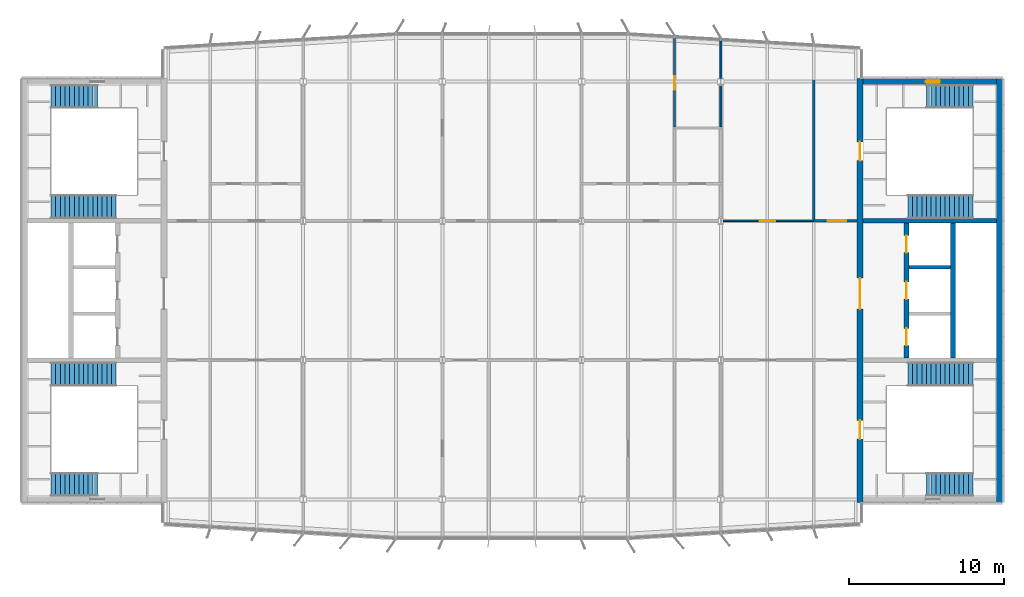
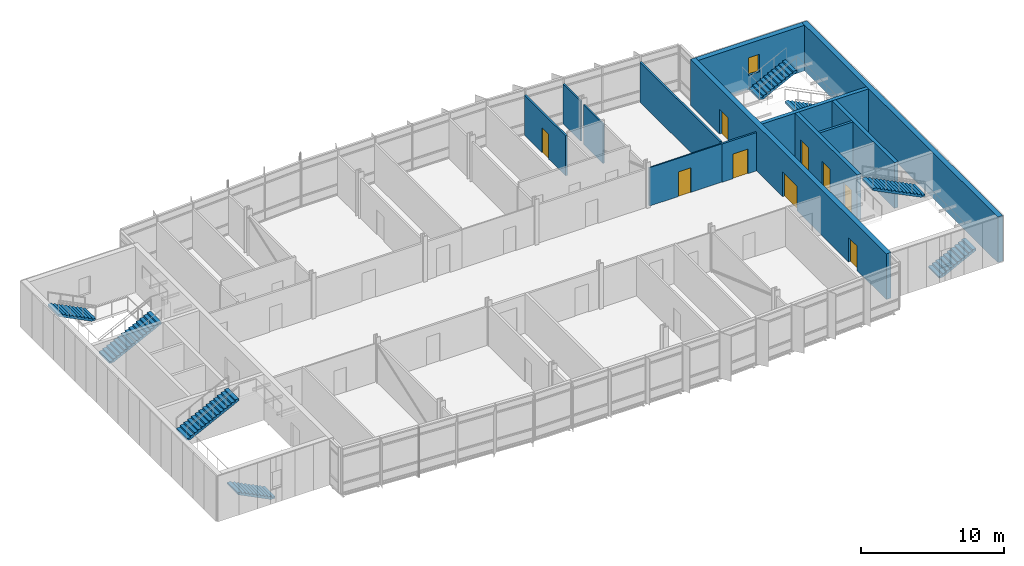
# One storey, part 14 of 18: 13 walls, 9 doors, 8 stair flights, 1 window, 10 openings, 4 elements without a shape of their own.
"""IFC4 building model written with IfcOpenShell, lengths in metres."""

from ifc_helpers import new_model, si_unit, direction, frame, frame_2d, origin, place, context, subcontext, project, spatial, polyline, rectangle, outline, extrude, material, layer, layer_set, type_object, element, fill, aggregate, save


model = new_model("IFC4")

# Units and contexts
model_context = context("Model", 3, precision=1e-05, world=origin(), true_north=direction((0.0, 1.0)))
body_context = subcontext(model_context, "Body", "Model", "MODEL_VIEW")
ifc_project = project(units=[si_unit("LENGTHUNIT", "METRE"), si_unit("AREAUNIT", "SQUARE_METRE"), si_unit("VOLUMEUNIT", "CUBIC_METRE"), si_unit("PLANEANGLEUNIT", "RADIAN"), si_unit("MASSUNIT", "GRAM", prefix="KILO")], contexts=[model_context])

# Site, building, storey
site_placement = place(None, origin())
site = spatial("IfcSite", under=ifc_project, at=site_placement, CompositionType="ELEMENT")
building_placement = place(site_placement, origin())
building = spatial("IfcBuilding", under=site, at=building_placement, Name="Azimuth Sports and Learning Centre", CompositionType="ELEMENT")
storey_placement = place(building_placement, frame((0.0, 0.0, 63.60009765625)))
storey = spatial("IfcBuildingStorey", under=building, at=storey_placement, Name="L14", CompositionType="ELEMENT", Elevation=63.60009765625)

# Wall
ifc_material_1 = material(Name="Dense masonry blockwork", Category="masonry")
ifc_layer_1 = layer(ifc_material_1, 0.199951171875)
ifc_layer_set_1 = layer_set([ifc_layer_1], Name="Dense masonry blockwork")
wall_type_1 = type_object("IfcWallType", Name="Blockwork wall 200 EI 120", PredefinedType="SOLIDWALL", material=ifc_layer_set_1)
wall_1_placement = place(storey_placement, frame((111.14990234375, 105.0, 0.0), z_axis=(0.0, 0.0, 1.0), x_axis=(1.0, 0.0, 0.0)))
element("IfcWall", 1, at=wall_1_placement, inside=storey, type_object=wall_type_1, Name="SD-E-2-L14", PredefinedType="SOLIDWALL", context=body_context, shape_type="SweptSolid", body=[
    extrude(rectangle(XDim=2.7001953125, YDim=0.199951171875, at=frame_2d((1.35009765625, 0.0))), origin(), (0.0, 0.0, 1.0), 3.89990234375),
])

# Wall, opening, door
ifc_material_2 = material(Name="Gypsum board on steel studs", Category="steel")
ifc_layer_2 = layer(ifc_material_2, 0.10009765625)
ifc_layer_set_2 = layer_set([ifc_layer_2], Name="Gypsum board on steel studs")
wall_type_2 = type_object("IfcWallType", Name="Partition 100 EI 30", PredefinedType="PARTITIONING", material=ifc_layer_set_2)
wall_2_placement = place(storey_placement, frame((99.153564453125, 108.0, 0.0), z_axis=(0.0, 0.0, 1.0), x_axis=(1.0, 0.0, 0.0)))
wall_2 = element("IfcWall", 2, at=wall_2_placement, inside=storey, type_object=wall_type_2, Name="Partition Classroom 14.25 / Learning Street", PredefinedType="PARTITIONING", context=body_context, shape_type="SweptSolid", body=[
    extrude(rectangle(XDim=5.846435546875, YDim=0.10009765625, at=frame_2d((2.92333984375, 0.0))), origin(), (0.0, 0.0, 1.0), 3.27001953125),
])
opening_1_placement = place(wall_2_placement, frame((2.346435546875, 0.0, 0.0)))
opening_1 = element("IfcOpeningElement", 3, at=opening_1_placement, cuts=wall_2, Name="Opening D14-027", PredefinedType="OPENING", context=body_context, shape_type="SweptSolid", body=[
    extrude(rectangle(XDim=1.0, YDim=2.10009765625, at=frame_2d((0.5, 1.050048828125))), frame((0.0, 0.06103515625, 0.0), z_axis=(0.0, -1.0, 0.0), x_axis=(1.0, 0.0, 0.0)), (0.0, 0.0, 1.0), 0.1220703125),
])
ifc_material_3 = material(Name="Painted steel door set", Category="steel")
door_type_1 = type_object("IfcDoorType", Name="Fire door FD30S 1000 x 2100", OperationType="NOTDEFINED", PredefinedType="DOOR", material=ifc_material_3)
door_1_placement = place(opening_1_placement, origin())
door_1 = element("IfcDoor", 4, at=door_1_placement, inside=storey, type_object=door_type_1, Name="Door Classroom 14.25 / Learning Street", OperationType="SINGLE_SWING_LEFT", OverallHeight=2.10009765625, OverallWidth=1.0, PredefinedType="DOOR", context=body_context, shape_type="SweptSolid", body=[
    extrude(rectangle(XDim=1.0, YDim=2.10009765625, at=frame_2d((0.5, 1.050048828125))), frame((0.0, 0.02490234375, 0.0), z_axis=(0.0, -1.0, 0.0), x_axis=(1.0, 0.0, 0.0)), (0.0, 0.0, 1.0), 0.050048828125),
])
fill(opening_1, door_1)

# Walls
ifc_material_4 = material(Name="Gypsum board on steel studs, acoustic", Category="steel")
ifc_layer_3 = layer(ifc_material_4, 0.125)
ifc_layer_set_3 = layer_set([ifc_layer_3], Name="Gypsum board on steel studs, acoustic")
wall_type_3 = type_object("IfcWallType", Name="Partition 125 EI 60", PredefinedType="PARTITIONING", material=ifc_layer_set_3)
wall_3_placement = place(storey_placement, frame((99.0, 114.074951171875, 0.0), z_axis=(0.0, 0.0, 1.0), x_axis=(0.0, 1.0, 0.0)))
element("IfcWall", 5, at=wall_3_placement, inside=storey, type_object=wall_type_3, Name="Partition Cleaner Store 14.24 / Classroom 14.25", PredefinedType="PARTITIONING", context=body_context, shape_type="SweptSolid", body=[
    extrude(rectangle(XDim=2.70751953125, YDim=0.125, at=frame_2d((1.353759765625, 0.0))), origin(), (0.0, 0.0, 1.0), 3.369873046875),
])
wall_4_placement = place(storey_placement, frame((99.0, 117.217529296875, 0.0), z_axis=(0.0, 0.0, 1.0), x_axis=(0.0, 1.0, 0.0)))
element("IfcWall", 6, at=wall_4_placement, inside=storey, type_object=wall_type_3, Name="Partition Cleaner Store 14.24 / Classroom 14.25", PredefinedType="PARTITIONING", context=body_context, shape_type="SweptSolid", body=[
    extrude(rectangle(XDim=2.42236328125, YDim=0.125, at=frame_2d((1.211181640625, 0.0))), origin(), (0.0, 0.0, 1.0), 3.409912109375),
])

# Wall, opening, door
ifc_material_5 = material(Name="Lightweight blockwork, rendered", Category="masonry")
ifc_layer_4 = layer(ifc_material_5, 0.14990234375)
ifc_layer_set_4 = layer_set([ifc_layer_4], Name="Lightweight blockwork, rendered")
wall_type_4 = type_object("IfcWallType", Name="Partition 150 EI 60", PredefinedType="PARTITIONING", material=ifc_layer_set_4)
wall_5_placement = place(storey_placement, frame((105.0, 108.0, 0.0), z_axis=(0.0, 0.0, 1.0), x_axis=(1.0, 0.0, 0.0)))
wall_5 = element("IfcWall", 7, at=wall_5_placement, inside=storey, type_object=wall_type_4, Name="Partition Stair Lobby E2 14.04 / Learning Street", PredefinedType="PARTITIONING", context=body_context, shape_type="SweptSolid", body=[
    extrude(rectangle(XDim=2.800048828125, YDim=0.14990234375, at=frame_2d((1.39990234375, 0.0))), origin(), (0.0, 0.0, 1.0), 3.27001953125),
])
opening_2_placement = place(wall_5_placement, frame((0.89990234375, 0.0, 0.0)))
opening_2 = element("IfcOpeningElement", 8, at=opening_2_placement, cuts=wall_5, Name="Opening D14-014", PredefinedType="OPENING", context=body_context, shape_type="SweptSolid", body=[
    extrude(rectangle(XDim=1.199951171875, YDim=2.10009765625, at=frame_2d((0.60009765625, 1.050048828125))), frame((0.0, 0.0859375, 0.0), z_axis=(0.0, -1.0, 0.0), x_axis=(1.0, 0.0, 0.0)), (0.0, 0.0, 1.0), 0.171875),
])
ifc_material_6 = material(Name="Painted steel door set", Category="steel")
door_type_2 = type_object("IfcDoorType", Name="Fire door FD60 1200 x 2100", OperationType="NOTDEFINED", PredefinedType="DOOR", material=ifc_material_6)
door_2_placement = place(opening_2_placement, origin())
door_2 = element("IfcDoor", 9, at=door_2_placement, inside=storey, type_object=door_type_2, Name="Door Stair Lobby E2 14.04 / Learning Street", OperationType="SINGLE_SWING_RIGHT", OverallHeight=2.10009765625, OverallWidth=1.199951171875, PredefinedType="DOOR", context=body_context, shape_type="SweptSolid", body=[
    extrude(rectangle(XDim=1.199951171875, YDim=2.10009765625, at=frame_2d((0.60009765625, 1.050048828125))), frame((0.0, 0.02490234375, 0.0), z_axis=(0.0, -1.0, 0.0), x_axis=(1.0, 0.0, 0.0)), (0.0, 0.0, 1.0), 0.050048828125),
])
fill(opening_2, door_2)

wall_6_placement = place(storey_placement, frame((96.0, 114.074951171875, 0.0), z_axis=(0.0, 0.0, 1.0), x_axis=(0.0, 1.0, 0.0)))
wall_6 = element("IfcWall", 10, at=wall_6_placement, inside=storey, type_object=wall_type_4, Name="Partition Women WC 14.22 / Accessible WC 14.23", PredefinedType="PARTITIONING", context=body_context, shape_type="SweptSolid", body=[
    extrude(rectangle(XDim=5.7451171875, YDim=0.14990234375, at=frame_2d((2.87255859375, 0.0))), origin(), (0.0, 0.0, 1.0), 3.409912109375),
])
opening_3_placement = place(wall_6_placement, frame((2.385009765625, 0.0, 0.0)))
opening_3 = element("IfcOpeningElement", 11, at=opening_3_placement, cuts=wall_6, Name="Opening D14-036", PredefinedType="OPENING", context=body_context, shape_type="SweptSolid", body=[
    extrude(rectangle(XDim=0.89990234375, YDim=2.10009765625, at=frame_2d((0.449951171875, 1.050048828125))), frame((0.0, 0.0859375, 0.0), z_axis=(0.0, -1.0, 0.0), x_axis=(1.0, 0.0, 0.0)), (0.0, 0.0, 1.0), 0.171875),
])
ifc_material_7 = material(Name="Painted steel door set", Category="steel")
door_type_3 = type_object("IfcDoorType", Name="Fire door FD60 900 x 2100", OperationType="NOTDEFINED", PredefinedType="DOOR", material=ifc_material_7)
door_3_placement = place(opening_3_placement, frame((0.89990234375, 0.0, 0.0), z_axis=(0.0, 0.0, 1.0), x_axis=(-1.0, 0.0, 0.0)))
door_3 = element("IfcDoor", 12, at=door_3_placement, inside=storey, type_object=door_type_3, Name="Door Women WC 14.22 / Cleaner Store 14.24", OperationType="SINGLE_SWING_RIGHT", OverallHeight=2.10009765625, OverallWidth=0.89990234375, PredefinedType="DOOR", context=body_context, shape_type="SweptSolid", body=[
    extrude(rectangle(XDim=0.89990234375, YDim=2.10009765625, at=frame_2d((0.449951171875, 1.050048828125))), frame((0.0, 0.02490234375, 0.0), z_axis=(0.0, -1.0, 0.0), x_axis=(1.0, 0.0, 0.0)), (0.0, 0.0, 1.0), 0.050048828125),
])
fill(opening_3, door_3)

# Walls
wall_7_placement = place(storey_placement, frame((105.0, 108.074951171875, 0.0), z_axis=(0.0, 0.0, 1.0), x_axis=(0.0, 1.0, 0.0)))
element("IfcWall", 13, at=wall_7_placement, inside=storey, type_object=wall_type_4, Name="Partition Stair Lobby E2 14.04 / Classroom 14.25", PredefinedType="PARTITIONING", context=body_context, shape_type="SweptSolid", body=[
    extrude(rectangle(XDim=11.205078125, YDim=0.14990234375, at=frame_2d((5.6025390625, 0.0))), origin(), (0.0, 0.0, 1.0), 3.409912109375),
])
ifc_material_8 = material(Name="Concrete C40/50", Category="concrete")
ifc_layer_5 = layer(ifc_material_8, 0.300048828125)
ifc_layer_set_5 = layer_set([ifc_layer_5], Name="Concrete C40/50")
wall_type_5 = type_object("IfcWallType", Name="RC core wall 300", PredefinedType="SHEAR", material=ifc_layer_set_5)
wall_8_placement = place(storey_placement, frame((108.199951171875, 108.0, 0.0), z_axis=(0.0, 0.0, 1.0), x_axis=(1.0, 0.0, 0.0)))
element("IfcWall", 14, at=wall_8_placement, inside=storey, type_object=wall_type_5, Name="Core wall E D2 L14", PredefinedType="SHEAR", context=body_context, shape_type="SweptSolid", body=[
    extrude(rectangle(XDim=8.60009765625, YDim=0.300048828125, at=frame_2d((4.300048828125, 0.0))), origin(), (0.0, 0.0, 1.0), 3.89990234375),
])

# Wall, openings, doors
wall_9_placement = place(storey_placement, frame((111.0, 99.14990234375, 0.0), z_axis=(0.0, 0.0, 1.0), x_axis=(0.0, 1.0, 0.0)))
wall_9 = element("IfcWall", 15, at=wall_9_placement, inside=storey, type_object=wall_type_5, Name="Core wall E LB1 L14", PredefinedType="SHEAR", context=body_context, shape_type="SweptSolid", body=[
    extrude(rectangle(XDim=8.7001953125, YDim=0.300048828125, at=frame_2d((4.35009765625, 0.0))), origin(), (0.0, 0.0, 1.0), 3.89990234375),
])
opening_4_placement = place(wall_9_placement, frame((0.800048828125, 0.0, 0.0)))
opening_4 = element("IfcOpeningElement", 16, at=opening_4_placement, cuts=wall_9, Name="Opening D14-008", PredefinedType="OPENING", context=body_context, shape_type="SweptSolid", body=[
    extrude(rectangle(XDim=1.10009765625, YDim=2.10009765625, at=frame_2d((0.550048828125, 1.050048828125))), frame((0.0, 0.1611328125, 0.0), z_axis=(0.0, -1.0, 0.0), x_axis=(1.0, 0.0, 0.0)), (0.0, 0.0, 1.0), 0.322021484375),
])
opening_5_placement = place(wall_9_placement, frame((3.800048828125, 0.0, 0.0)))
opening_5 = element("IfcOpeningElement", 17, at=opening_5_placement, cuts=wall_9, Name="Opening D14-009", PredefinedType="OPENING", context=body_context, shape_type="SweptSolid", body=[
    extrude(rectangle(XDim=1.10009765625, YDim=2.10009765625, at=frame_2d((0.550048828125, 1.050048828125))), frame((0.0, 0.1611328125, 0.0), z_axis=(0.0, -1.0, 0.0), x_axis=(1.0, 0.0, 0.0)), (0.0, 0.0, 1.0), 0.322021484375),
])
opening_6_placement = place(wall_9_placement, frame((6.800048828125, 0.0, 0.0)))
opening_6 = element("IfcOpeningElement", 18, at=opening_6_placement, cuts=wall_9, Name="Opening D14-010", PredefinedType="OPENING", context=body_context, shape_type="SweptSolid", body=[
    extrude(rectangle(XDim=1.10009765625, YDim=2.10009765625, at=frame_2d((0.550048828125, 1.050048828125))), frame((0.0, 0.1611328125, 0.0), z_axis=(0.0, -1.0, 0.0), x_axis=(1.0, 0.0, 0.0)), (0.0, 0.0, 1.0), 0.322021484375),
])
ifc_material_9 = material(Name="Stainless steel", Category="steel")
door_type_4 = type_object("IfcDoorType", Name="Lift landing door 1100 x 2100", OperationType="DOUBLE_DOOR_SLIDING", PredefinedType="DOOR", material=ifc_material_9)
door_4_placement = place(opening_4_placement, origin())
door_4 = element("IfcDoor", 19, at=door_4_placement, inside=storey, type_object=door_type_4, Name="Landing door LE1 L14", OperationType="DOUBLE_DOOR_SLIDING", OverallHeight=2.10009765625, OverallWidth=1.10009765625, PredefinedType="DOOR", context=body_context, shape_type="SweptSolid", body=[
    extrude(rectangle(XDim=1.10009765625, YDim=2.10009765625, at=frame_2d((0.550048828125, 1.050048828125))), frame((0.0, 0.02490234375, 0.0), z_axis=(0.0, -1.0, 0.0), x_axis=(1.0, 0.0, 0.0)), (0.0, 0.0, 1.0), 0.050048828125),
])
fill(opening_4, door_4)
door_5_placement = place(opening_5_placement, origin())
door_5 = element("IfcDoor", 20, at=door_5_placement, inside=storey, type_object=door_type_4, Name="Landing door LE2 L14", OperationType="DOUBLE_DOOR_SLIDING", OverallHeight=2.10009765625, OverallWidth=1.10009765625, PredefinedType="DOOR", context=body_context, shape_type="SweptSolid", body=[
    extrude(rectangle(XDim=1.10009765625, YDim=2.10009765625, at=frame_2d((0.550048828125, 1.050048828125))), frame((0.0, 0.02490234375, 0.0), z_axis=(0.0, -1.0, 0.0), x_axis=(1.0, 0.0, 0.0)), (0.0, 0.0, 1.0), 0.050048828125),
])
fill(opening_5, door_5)
door_6_placement = place(opening_6_placement, origin())
door_6 = element("IfcDoor", 21, at=door_6_placement, inside=storey, type_object=door_type_4, Name="Landing door LE3 L14", OperationType="DOUBLE_DOOR_SLIDING", OverallHeight=2.10009765625, OverallWidth=1.10009765625, PredefinedType="DOOR", context=body_context, shape_type="SweptSolid", body=[
    extrude(rectangle(XDim=1.10009765625, YDim=2.10009765625, at=frame_2d((0.550048828125, 1.050048828125))), frame((0.0, 0.02490234375, 0.0), z_axis=(0.0, -1.0, 0.0), x_axis=(1.0, 0.0, 0.0)), (0.0, 0.0, 1.0), 0.050048828125),
])
fill(opening_6, door_6)

# Wall
wall_10_placement = place(storey_placement, frame((114.0, 99.14990234375, 0.0), z_axis=(0.0, 0.0, 1.0), x_axis=(0.0, 1.0, 0.0)))
element("IfcWall", 22, at=wall_10_placement, inside=storey, type_object=wall_type_5, Name="Core wall E LB2 L14", PredefinedType="SHEAR", context=body_context, shape_type="SweptSolid", body=[
    extrude(rectangle(XDim=8.7001953125, YDim=0.300048828125, at=frame_2d((4.35009765625, 0.0))), origin(), (0.0, 0.0, 1.0), 3.89990234375),
])

# Wall, openings, doors
ifc_material_10 = material(Name="Concrete C40/50", Category="concrete")
ifc_layer_6 = layer(ifc_material_10, 0.39990234375)
ifc_layer_set_6 = layer_set([ifc_layer_6], Name="Concrete C40/50")
wall_type_6 = type_object("IfcWallType", Name="RC core wall 400", PredefinedType="SHEAR", material=ifc_layer_set_6)
wall_11_placement = place(storey_placement, frame((108.0, 89.800048828125, 0.0), z_axis=(0.0, 0.0, 1.0), x_axis=(0.0, 1.0, 0.0)))
wall_11 = element("IfcWall", 23, at=wall_11_placement, inside=storey, type_object=wall_type_6, Name="Core wall E W L14", PredefinedType="SHEAR", context=body_context, shape_type="SweptSolid", body=[
    extrude(rectangle(XDim=27.39990234375, YDim=0.39990234375, at=frame_2d((13.699951171875, 0.0))), origin(), (0.0, 0.0, 1.0), 3.89990234375),
])
opening_7_placement = place(wall_11_placement, frame((4.10009765625, 0.0, 0.0)))
opening_7 = element("IfcOpeningElement", 24, at=opening_7_placement, cuts=wall_11, Name="Opening D14-003", PredefinedType="OPENING", context=body_context, shape_type="SweptSolid", body=[
    extrude(rectangle(XDim=1.199951171875, YDim=2.10009765625, at=frame_2d((0.60009765625, 1.050048828125))), frame((0.0, 0.2109375, 0.0), z_axis=(0.0, -1.0, 0.0), x_axis=(1.0, 0.0, 0.0)), (0.0, 0.0, 1.0), 0.421875),
])
opening_8_placement = place(wall_11_placement, frame((22.10009765625, 0.0, 0.0)))
opening_8 = element("IfcOpeningElement", 25, at=opening_8_placement, cuts=wall_11, Name="Opening D14-004", PredefinedType="OPENING", context=body_context, shape_type="SweptSolid", body=[
    extrude(rectangle(XDim=1.199951171875, YDim=2.10009765625, at=frame_2d((0.60009765625, 1.050048828125))), frame((0.0, 0.2109375, 0.0), z_axis=(0.0, -1.0, 0.0), x_axis=(1.0, 0.0, 0.0)), (0.0, 0.0, 1.0), 0.421875),
])
opening_9_placement = place(wall_11_placement, frame((12.5, 0.0, 0.0)))
opening_9 = element("IfcOpeningElement", 26, at=opening_9_placement, cuts=wall_11, Name="Opening D14-038", PredefinedType="OPENING", context=body_context, shape_type="SweptSolid", body=[
    extrude(rectangle(XDim=2.0, YDim=2.10009765625, at=frame_2d((1.0, 1.050048828125))), frame((0.0, 0.2109375, 0.0), z_axis=(0.0, -1.0, 0.0), x_axis=(1.0, 0.0, 0.0)), (0.0, 0.0, 1.0), 0.421875),
])
ifc_material_11 = material(Name="Painted steel door set", Category="steel")
door_type_5 = type_object("IfcDoorType", Name="Fire door FD120 2000 x 2100 double leaf", OperationType="DOUBLE_DOOR_SINGLE_SWING", PredefinedType="DOOR", material=ifc_material_11)
door_7_placement = place(opening_9_placement, frame((2.0, 0.0, 0.0), z_axis=(0.0, 0.0, 1.0), x_axis=(-1.0, 0.0, 0.0)))
door_7 = element("IfcDoor", 27, at=door_7_placement, inside=storey, type_object=door_type_5, Name="Door Lift Lobby E 14.06 / Learning Street", OperationType="DOUBLE_DOOR_SINGLE_SWING", OverallHeight=2.10009765625, OverallWidth=2.0, PredefinedType="DOOR", context=body_context, shape_type="SweptSolid", body=[
    extrude(rectangle(XDim=2.0, YDim=2.10009765625, at=frame_2d((1.0, 1.050048828125))), frame((0.0, 0.02490234375, 0.0), z_axis=(0.0, -1.0, 0.0), x_axis=(1.0, 0.0, 0.0)), (0.0, 0.0, 1.0), 0.050048828125),
])
fill(opening_9, door_7)
ifc_material_12 = material(Name="Steel", Category="steel")
door_type_6 = type_object("IfcDoorType", Name="Stair fire door 1200 x 2100", OperationType="NOTDEFINED", PredefinedType="DOOR", material=ifc_material_12)
door_8_placement = place(opening_7_placement, frame((1.199951171875, 0.0, 0.0), z_axis=(0.0, 0.0, 1.0), x_axis=(-1.0, 0.0, 0.0)))
door_8 = element("IfcDoor", 28, at=door_8_placement, inside=storey, type_object=door_type_6, Name="Stair door E1 L14", OperationType="SINGLE_SWING_RIGHT", OverallHeight=2.10009765625, OverallWidth=1.199951171875, PredefinedType="DOOR", context=body_context, shape_type="SweptSolid", body=[
    extrude(rectangle(XDim=1.199951171875, YDim=2.10009765625, at=frame_2d((0.60009765625, 1.050048828125))), frame((0.0, 0.02490234375, 0.0), z_axis=(0.0, -1.0, 0.0), x_axis=(1.0, 0.0, 0.0)), (0.0, 0.0, 1.0), 0.050048828125),
])
fill(opening_7, door_8)
door_9_placement = place(opening_8_placement, frame((1.199951171875, 0.0, 0.0), z_axis=(0.0, 0.0, 1.0), x_axis=(-1.0, 0.0, 0.0)))
door_9 = element("IfcDoor", 29, at=door_9_placement, inside=storey, type_object=door_type_6, Name="Stair door E2 L14", OperationType="SINGLE_SWING_RIGHT", OverallHeight=2.10009765625, OverallWidth=1.199951171875, PredefinedType="DOOR", context=body_context, shape_type="SweptSolid", body=[
    extrude(rectangle(XDim=1.199951171875, YDim=2.10009765625, at=frame_2d((0.60009765625, 1.050048828125))), frame((0.0, 0.02490234375, 0.0), z_axis=(0.0, -1.0, 0.0), x_axis=(1.0, 0.0, 0.0)), (0.0, 0.0, 1.0), 0.050048828125),
])
fill(opening_8, door_9)

# Wall, opening, window
ifc_material_13 = material(Name="Concrete C40/50", Category="concrete")
ifc_layer_7 = layer(ifc_material_13, 0.39990234375)
ifc_layer_set_7 = layer_set([ifc_layer_7], Name="Concrete C40/50")
wall_type_7 = type_object("IfcWallType", Name="RC external core wall 400", PredefinedType="SHEAR", material=ifc_layer_set_7)
wall_12_placement = place(storey_placement, frame((108.199951171875, 117.0, 0.0), z_axis=(0.0, 0.0, 1.0), x_axis=(1.0, 0.0, 0.0)))
wall_12 = element("IfcWall", 30, at=wall_12_placement, inside=storey, type_object=wall_type_7, Name="Core wall E N L14", PredefinedType="SHEAR", context=body_context, shape_type="SweptSolid", body=[
    extrude(rectangle(XDim=8.60009765625, YDim=0.39990234375, at=frame_2d((4.300048828125, 0.0))), origin(), (0.0, 0.0, 1.0), 3.89990234375),
])
opening_10_placement = place(wall_12_placement, frame((4.050048828125, 0.0, 1.199951171875)))
opening_10 = element("IfcOpeningElement", 31, at=opening_10_placement, cuts=wall_12, Name="Opening W14-003", PredefinedType="OPENING", context=body_context, shape_type="SweptSolid", body=[
    extrude(rectangle(XDim=0.89990234375, YDim=1.5, at=frame_2d((0.449951171875, 0.75))), frame((0.0, 0.2109375, 0.0), z_axis=(0.0, -1.0, 0.0), x_axis=(1.0, 0.0, 0.0)), (0.0, 0.0, 1.0), 0.421875),
])
ifc_material_14 = material(Name="Aluminium and glass", Category="aluminium")
window_type = type_object("IfcWindowType", Name="Stair window tower core 900x1500", PartitioningType="SINGLE_PANEL", PredefinedType="WINDOW", material=ifc_material_14)
window_placement = place(opening_10_placement, origin())
window = element("IfcWindow", 32, at=window_placement, inside=storey, type_object=window_type, Name="Window W14-003", OverallHeight=1.5, OverallWidth=0.89990234375, PartitioningType="SINGLE_PANEL", PredefinedType="WINDOW", context=body_context, shape_type="SweptSolid", body=[
    extrude(rectangle(XDim=0.89990234375, YDim=1.5, at=frame_2d((0.449951171875, 0.75))), frame((0.0, 0.030029296875, 0.0), z_axis=(0.0, -1.0, 0.0), x_axis=(1.0, 0.0, 0.0)), (0.0, 0.0, 1.0), 0.06005859375),
])
fill(opening_10, window)

# Wall
wall_13_placement = place(storey_placement, frame((117.0, 89.800048828125, 0.0), z_axis=(0.0, 0.0, 1.0), x_axis=(0.0, 1.0, 0.0)))
element("IfcWall", 33, at=wall_13_placement, inside=storey, type_object=wall_type_7, Name="Core wall E E L14", PredefinedType="SHEAR", context=body_context, shape_type="SweptSolid", body=[
    extrude(rectangle(XDim=27.39990234375, YDim=0.39990234375, at=frame_2d((13.699951171875, 0.0))), origin(), (0.0, 0.0, 1.0), 3.89990234375),
])

# Stair, stair flight
ifc_material_15 = material(Name="Concrete C32/40", Category="concrete")
stair_type = type_object("IfcStairType", Name="Square-well stair core 3900 storey", PredefinedType="THREE_QUARTER_TURN_STAIR", material=ifc_material_15)
stair_1_placement = place(storey_placement, origin())
stair_1 = element("IfcStair", 34, at=stair_1_placement, inside=storey, type_object=stair_type, Name="Stair W1 L14-L15", PredefinedType="THREE_QUARTER_TURN_STAIR")
ifc_material_16 = material(Name="Concrete C32/40", Category="concrete")
stair_flight_type_1 = type_object("IfcStairFlightType", Name="Stair flight 11 risers", PredefinedType="STRAIGHT", material=ifc_material_16)
stair_flight_1_placement = place(storey_placement, frame((58.7099609375, 90.9599609375, 0.0), z_axis=(0.0, 0.0, 1.0), x_axis=(-1.0, 0.0, 0.0)))
stair_flight_1 = element("IfcStairFlight", 35, at=stair_flight_1_placement, type_object=stair_flight_type_1, Name="Stair W1 L14 flight 1", NumberOfRisers=11, NumberOfTreads=10, PredefinedType="STRAIGHT", RiserHeight=0.15, TreadLength=0.3, context=body_context, shape_type="SweptSolid", body=[
    extrude(outline(polyline([(0.0, 0.0), (0.0, 0.14990234375), (0.300048828125, 0.14990234375), (0.300048828125, 0.300048828125), (0.60009765625, 0.300048828125), (0.60009765625, 0.449951171875), (0.89990234375, 0.449951171875), (0.89990234375, 0.60009765625), (1.199951171875, 0.60009765625), (1.199951171875, 0.75), (1.5, 0.75), (1.5, 0.89990234375), (1.800048828125, 0.89990234375), (1.800048828125, 1.050048828125), (2.10009765625, 1.050048828125), (2.10009765625, 1.199951171875), (2.39990234375, 1.199951171875), (2.39990234375, 1.35009765625), (2.699951171875, 1.35009765625), (2.699951171875, 1.5), (3.0, 1.5), (3.0, 1.64990234375), (3.0, 1.33251953125), (0.335205078125, 0.0), (0.0, 0.0)])), frame((0.0, 0.75, 0.0), z_axis=(0.0, -1.0, 0.0), x_axis=(1.0, 0.0, 0.0)), (0.0, 0.0, 1.0), 1.5),
])

stair_2_placement = place(storey_placement, origin())
stair_2 = element("IfcStair", 36, at=stair_2_placement, inside=storey, type_object=stair_type, Name="Stair W2 L14-L15", PredefinedType="THREE_QUARTER_TURN_STAIR")
stair_flight_2_placement = place(storey_placement, frame((58.7099609375, 116.0400390625, 0.0), z_axis=(0.0, 0.0, 1.0), x_axis=(-1.0, 0.0, 0.0)))
stair_flight_2 = element("IfcStairFlight", 37, at=stair_flight_2_placement, type_object=stair_flight_type_1, Name="Stair W2 L14 flight 1", NumberOfRisers=11, NumberOfTreads=10, PredefinedType="STRAIGHT", RiserHeight=0.15, TreadLength=0.3, context=body_context, shape_type="SweptSolid", body=[
    extrude(outline(polyline([(0.0, 0.0), (0.0, 0.14990234375), (0.300048828125, 0.14990234375), (0.300048828125, 0.300048828125), (0.60009765625, 0.300048828125), (0.60009765625, 0.449951171875), (0.89990234375, 0.449951171875), (0.89990234375, 0.60009765625), (1.199951171875, 0.60009765625), (1.199951171875, 0.75), (1.5, 0.75), (1.5, 0.89990234375), (1.800048828125, 0.89990234375), (1.800048828125, 1.050048828125), (2.10009765625, 1.050048828125), (2.10009765625, 1.199951171875), (2.39990234375, 1.199951171875), (2.39990234375, 1.35009765625), (2.699951171875, 1.35009765625), (2.699951171875, 1.5), (3.0, 1.5), (3.0, 1.64990234375), (3.0, 1.33251953125), (0.335205078125, 0.0), (0.0, 0.0)])), frame((0.0, 0.75, 0.0), z_axis=(0.0, -1.0, 0.0), x_axis=(1.0, 0.0, 0.0)), (0.0, 0.0, 1.0), 1.5),
])

stair_3_placement = place(storey_placement, origin())
stair_3 = element("IfcStair", 38, at=stair_3_placement, inside=storey, type_object=stair_type, Name="Stair E1 L14-L15", PredefinedType="THREE_QUARTER_TURN_STAIR")
stair_flight_3_placement = place(storey_placement, frame((112.2900390625, 90.9599609375, 0.0), z_axis=(0.0, 0.0, 1.0), x_axis=(1.0, 0.0, 0.0)))
stair_flight_3 = element("IfcStairFlight", 39, at=stair_flight_3_placement, type_object=stair_flight_type_1, Name="Stair E1 L14 flight 1", NumberOfRisers=11, NumberOfTreads=10, PredefinedType="STRAIGHT", RiserHeight=0.15, TreadLength=0.3, context=body_context, shape_type="SweptSolid", body=[
    extrude(outline(polyline([(0.0, 0.0), (0.0, 0.14990234375), (0.300048828125, 0.14990234375), (0.300048828125, 0.300048828125), (0.60009765625, 0.300048828125), (0.60009765625, 0.449951171875), (0.89990234375, 0.449951171875), (0.89990234375, 0.60009765625), (1.199951171875, 0.60009765625), (1.199951171875, 0.75), (1.5, 0.75), (1.5, 0.89990234375), (1.800048828125, 0.89990234375), (1.800048828125, 1.050048828125), (2.10009765625, 1.050048828125), (2.10009765625, 1.199951171875), (2.39990234375, 1.199951171875), (2.39990234375, 1.35009765625), (2.699951171875, 1.35009765625), (2.699951171875, 1.5), (3.0, 1.5), (3.0, 1.64990234375), (3.0, 1.33251953125), (0.335205078125, 0.0), (0.0, 0.0)])), frame((0.0, 0.75, 0.0), z_axis=(0.0, -1.0, 0.0), x_axis=(1.0, 0.0, 0.0)), (0.0, 0.0, 1.0), 1.5),
])

stair_4_placement = place(storey_placement, origin())
stair_4 = element("IfcStair", 40, at=stair_4_placement, inside=storey, type_object=stair_type, Name="Stair E2 L14-L15", PredefinedType="THREE_QUARTER_TURN_STAIR")
stair_flight_4_placement = place(storey_placement, frame((112.2900390625, 116.0400390625, 0.0), z_axis=(0.0, 0.0, 1.0), x_axis=(1.0, 0.0, 0.0)))
stair_flight_4 = element("IfcStairFlight", 41, at=stair_flight_4_placement, type_object=stair_flight_type_1, Name="Stair E2 L14 flight 1", NumberOfRisers=11, NumberOfTreads=10, PredefinedType="STRAIGHT", RiserHeight=0.15, TreadLength=0.3, context=body_context, shape_type="SweptSolid", body=[
    extrude(outline(polyline([(0.0, 0.0), (0.0, 0.14990234375), (0.300048828125, 0.14990234375), (0.300048828125, 0.300048828125), (0.60009765625, 0.300048828125), (0.60009765625, 0.449951171875), (0.89990234375, 0.449951171875), (0.89990234375, 0.60009765625), (1.199951171875, 0.60009765625), (1.199951171875, 0.75), (1.5, 0.75), (1.5, 0.89990234375), (1.800048828125, 0.89990234375), (1.800048828125, 1.050048828125), (2.10009765625, 1.050048828125), (2.10009765625, 1.199951171875), (2.39990234375, 1.199951171875), (2.39990234375, 1.35009765625), (2.699951171875, 1.35009765625), (2.699951171875, 1.5), (3.0, 1.5), (3.0, 1.64990234375), (3.0, 1.33251953125), (0.335205078125, 0.0), (0.0, 0.0)])), frame((0.0, 0.75, 0.0), z_axis=(0.0, -1.0, 0.0), x_axis=(1.0, 0.0, 0.0)), (0.0, 0.0, 1.0), 1.5),
])

# Stair flight
ifc_material_17 = material(Name="Concrete C32/40", Category="concrete")
stair_flight_type_2 = type_object("IfcStairFlightType", Name="Stair flight 15 risers", PredefinedType="STRAIGHT", material=ifc_material_17)
stair_flight_5_placement = place(storey_placement, frame((55.7099609375, 98.090087890625, 1.64990234375), z_axis=(0.0, 0.0, 1.0), x_axis=(1.0, 0.0, 0.0)))
stair_flight_5 = element("IfcStairFlight", 42, at=stair_flight_5_placement, type_object=stair_flight_type_2, Name="Stair W1 L14 flight 2", NumberOfRisers=15, NumberOfTreads=14, PredefinedType="STRAIGHT", RiserHeight=0.15, TreadLength=0.3, context=body_context, shape_type="SweptSolid", body=[
    extrude(outline(polyline([(0.0, 0.0), (0.0, 0.14990234375), (0.300048828125, 0.14990234375), (0.300048828125, 0.300048828125), (0.60009765625, 0.300048828125), (0.60009765625, 0.449951171875), (0.89990234375, 0.449951171875), (0.89990234375, 0.60009765625), (1.199951171875, 0.60009765625), (1.199951171875, 0.75), (1.5, 0.75), (1.5, 0.89990234375), (1.800048828125, 0.89990234375), (1.800048828125, 1.050048828125), (2.10009765625, 1.050048828125), (2.10009765625, 1.199951171875), (2.39990234375, 1.199951171875), (2.39990234375, 1.35009765625), (2.699951171875, 1.35009765625), (2.699951171875, 1.5), (3.0, 1.5), (3.0, 1.64990234375), (3.300048828125, 1.64990234375), (3.300048828125, 1.800048828125), (3.60009765625, 1.800048828125), (3.60009765625, 1.949951171875), (3.89990234375, 1.949951171875), (3.89990234375, 2.10009765625), (4.199951171875, 2.10009765625), (4.199951171875, 2.25), (4.199951171875, 1.932373046875), (0.335205078125, 0.0), (0.0, 0.0)])), frame((0.0, 0.75, 0.0), z_axis=(0.0, -1.0, 0.0), x_axis=(1.0, 0.0, 0.0)), (0.0, 0.0, 1.0), 1.5),
])

aggregate(stair_1, [stair_flight_1, stair_flight_5])

stair_flight_6_placement = place(storey_placement, frame((55.7099609375, 108.909912109375, 1.64990234375), z_axis=(0.0, 0.0, 1.0), x_axis=(1.0, 0.0, 0.0)))
stair_flight_6 = element("IfcStairFlight", 43, at=stair_flight_6_placement, type_object=stair_flight_type_2, Name="Stair W2 L14 flight 2", NumberOfRisers=15, NumberOfTreads=14, PredefinedType="STRAIGHT", RiserHeight=0.15, TreadLength=0.3, context=body_context, shape_type="SweptSolid", body=[
    extrude(outline(polyline([(0.0, 0.0), (0.0, 0.14990234375), (0.300048828125, 0.14990234375), (0.300048828125, 0.300048828125), (0.60009765625, 0.300048828125), (0.60009765625, 0.449951171875), (0.89990234375, 0.449951171875), (0.89990234375, 0.60009765625), (1.199951171875, 0.60009765625), (1.199951171875, 0.75), (1.5, 0.75), (1.5, 0.89990234375), (1.800048828125, 0.89990234375), (1.800048828125, 1.050048828125), (2.10009765625, 1.050048828125), (2.10009765625, 1.199951171875), (2.39990234375, 1.199951171875), (2.39990234375, 1.35009765625), (2.699951171875, 1.35009765625), (2.699951171875, 1.5), (3.0, 1.5), (3.0, 1.64990234375), (3.300048828125, 1.64990234375), (3.300048828125, 1.800048828125), (3.60009765625, 1.800048828125), (3.60009765625, 1.949951171875), (3.89990234375, 1.949951171875), (3.89990234375, 2.10009765625), (4.199951171875, 2.10009765625), (4.199951171875, 2.25), (4.199951171875, 1.932373046875), (0.335205078125, 0.0), (0.0, 0.0)])), frame((0.0, 0.75, 0.0), z_axis=(0.0, -1.0, 0.0), x_axis=(1.0, 0.0, 0.0)), (0.0, 0.0, 1.0), 1.5),
])

aggregate(stair_2, [stair_flight_2, stair_flight_6])

stair_flight_7_placement = place(storey_placement, frame((115.2900390625, 98.090087890625, 1.64990234375), z_axis=(0.0, 0.0, 1.0), x_axis=(-1.0, 0.0, 0.0)))
stair_flight_7 = element("IfcStairFlight", 44, at=stair_flight_7_placement, type_object=stair_flight_type_2, Name="Stair E1 L14 flight 2", NumberOfRisers=15, NumberOfTreads=14, PredefinedType="STRAIGHT", RiserHeight=0.15, TreadLength=0.3, context=body_context, shape_type="SweptSolid", body=[
    extrude(outline(polyline([(0.0, 0.0), (0.0, 0.14990234375), (0.300048828125, 0.14990234375), (0.300048828125, 0.300048828125), (0.60009765625, 0.300048828125), (0.60009765625, 0.449951171875), (0.89990234375, 0.449951171875), (0.89990234375, 0.60009765625), (1.199951171875, 0.60009765625), (1.199951171875, 0.75), (1.5, 0.75), (1.5, 0.89990234375), (1.800048828125, 0.89990234375), (1.800048828125, 1.050048828125), (2.10009765625, 1.050048828125), (2.10009765625, 1.199951171875), (2.39990234375, 1.199951171875), (2.39990234375, 1.35009765625), (2.699951171875, 1.35009765625), (2.699951171875, 1.5), (3.0, 1.5), (3.0, 1.64990234375), (3.300048828125, 1.64990234375), (3.300048828125, 1.800048828125), (3.60009765625, 1.800048828125), (3.60009765625, 1.949951171875), (3.89990234375, 1.949951171875), (3.89990234375, 2.10009765625), (4.199951171875, 2.10009765625), (4.199951171875, 2.25), (4.199951171875, 1.932373046875), (0.335205078125, 0.0), (0.0, 0.0)])), frame((0.0, 0.75, 0.0), z_axis=(0.0, -1.0, 0.0), x_axis=(1.0, 0.0, 0.0)), (0.0, 0.0, 1.0), 1.5),
])

aggregate(stair_3, [stair_flight_3, stair_flight_7])

stair_flight_8_placement = place(storey_placement, frame((115.2900390625, 108.909912109375, 1.64990234375), z_axis=(0.0, 0.0, 1.0), x_axis=(-1.0, 0.0, 0.0)))
stair_flight_8 = element("IfcStairFlight", 45, at=stair_flight_8_placement, type_object=stair_flight_type_2, Name="Stair E2 L14 flight 2", NumberOfRisers=15, NumberOfTreads=14, PredefinedType="STRAIGHT", RiserHeight=0.15, TreadLength=0.3, context=body_context, shape_type="SweptSolid", body=[
    extrude(outline(polyline([(0.0, 0.0), (0.0, 0.14990234375), (0.300048828125, 0.14990234375), (0.300048828125, 0.300048828125), (0.60009765625, 0.300048828125), (0.60009765625, 0.449951171875), (0.89990234375, 0.449951171875), (0.89990234375, 0.60009765625), (1.199951171875, 0.60009765625), (1.199951171875, 0.75), (1.5, 0.75), (1.5, 0.89990234375), (1.800048828125, 0.89990234375), (1.800048828125, 1.050048828125), (2.10009765625, 1.050048828125), (2.10009765625, 1.199951171875), (2.39990234375, 1.199951171875), (2.39990234375, 1.35009765625), (2.699951171875, 1.35009765625), (2.699951171875, 1.5), (3.0, 1.5), (3.0, 1.64990234375), (3.300048828125, 1.64990234375), (3.300048828125, 1.800048828125), (3.60009765625, 1.800048828125), (3.60009765625, 1.949951171875), (3.89990234375, 1.949951171875), (3.89990234375, 2.10009765625), (4.199951171875, 2.10009765625), (4.199951171875, 2.25), (4.199951171875, 1.932373046875), (0.335205078125, 0.0), (0.0, 0.0)])), frame((0.0, 0.75, 0.0), z_axis=(0.0, -1.0, 0.0), x_axis=(1.0, 0.0, 0.0)), (0.0, 0.0, 1.0), 1.5),
])

aggregate(stair_4, [stair_flight_4, stair_flight_8])

save(model, "model.ifc")
